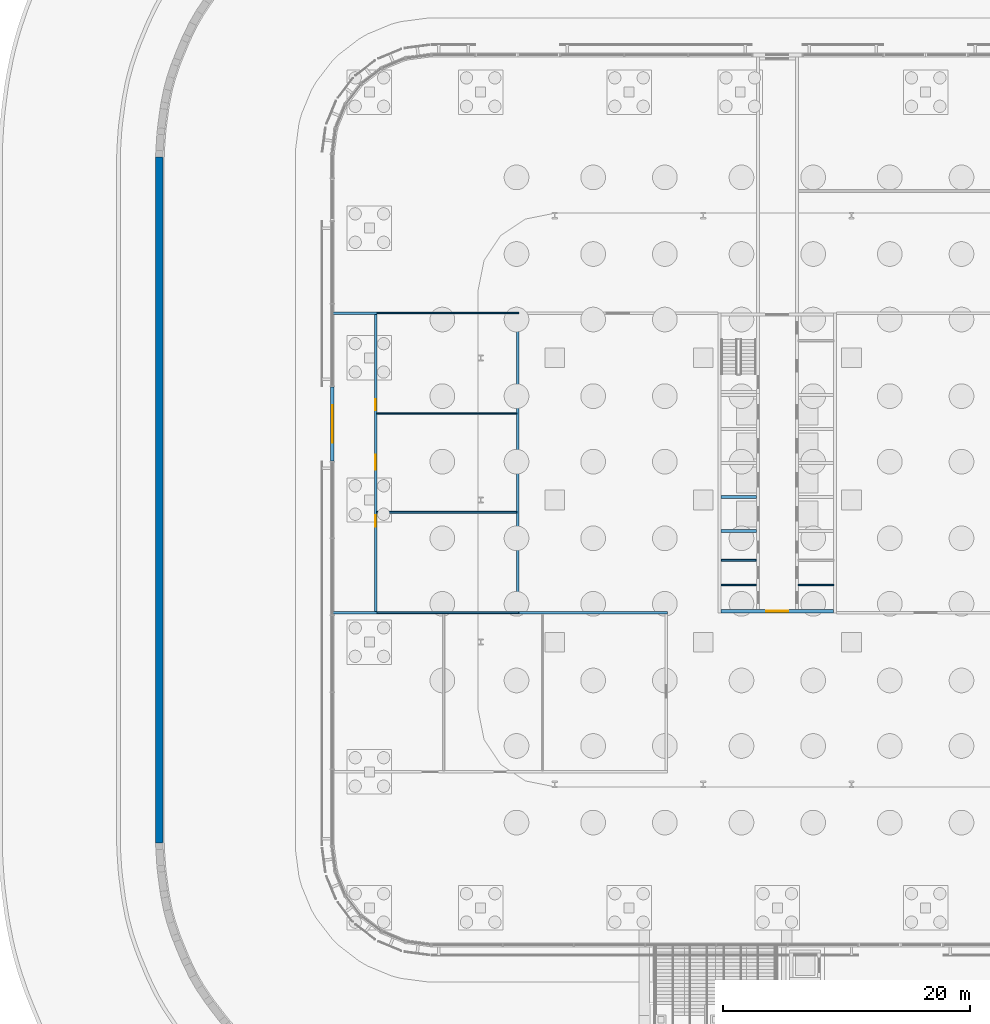
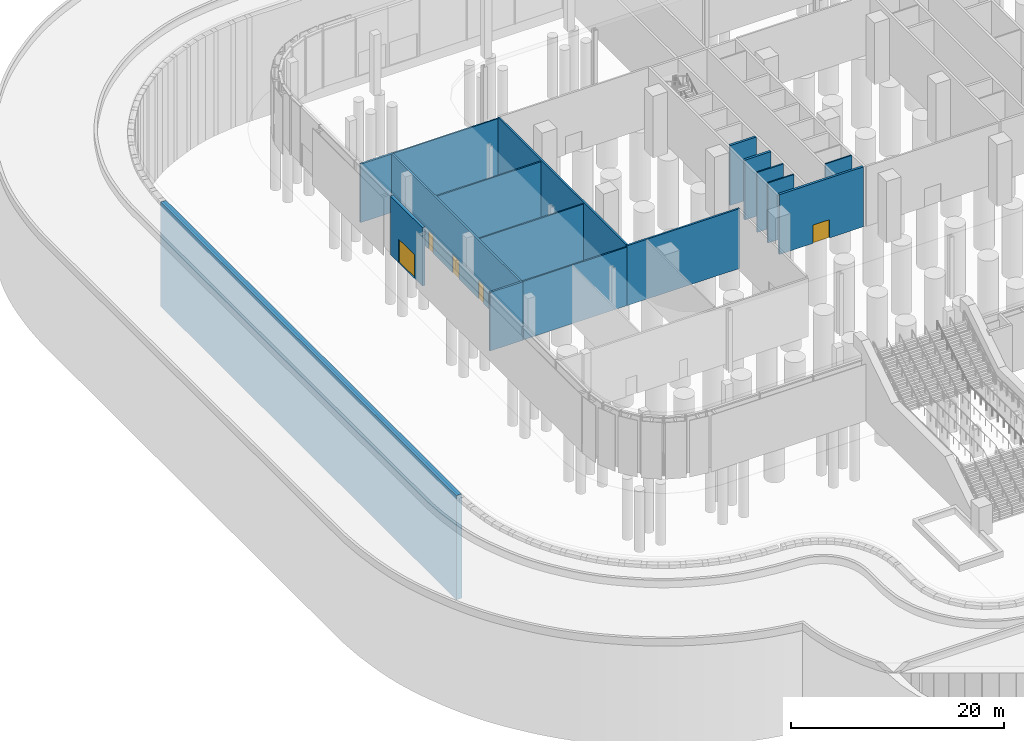
# One storey, part 24 of 48: 17 walls, 5 doors, 5 openings.
"""IFC4 building model written with IfcOpenShell, lengths in metres."""

from ifc_helpers import new_model, si_unit, direction, frame, frame_2d, origin, place, context, subcontext, project, spatial, rectangle, extrude, material, layer, layer_set, type_object, element, fill, save


model = new_model("IFC4")

# Units and contexts
model_context = context("Model", 3, precision=1e-05, world=origin(), true_north=direction((0.0, 1.0)))
body_context = subcontext(model_context, "Body", "Model", "MODEL_VIEW")
ifc_project = project(units=[si_unit("LENGTHUNIT", "METRE"), si_unit("AREAUNIT", "SQUARE_METRE"), si_unit("VOLUMEUNIT", "CUBIC_METRE"), si_unit("PLANEANGLEUNIT", "RADIAN"), si_unit("MASSUNIT", "GRAM", prefix="KILO")], contexts=[model_context])

# Site, building, storey
site_placement = place(None, origin())
site = spatial("IfcSite", under=ifc_project, at=site_placement, CompositionType="ELEMENT")
building_placement = place(site_placement, origin())
building = spatial("IfcBuilding", under=site, at=building_placement, Name="Mahtab Terrace Research Tower", CompositionType="ELEMENT")
storey_placement = place(building_placement, origin())
storey = spatial("IfcBuildingStorey", under=building, at=storey_placement, Name="G", CompositionType="ELEMENT", Elevation=0.0)

# Walls
ifc_material_1 = material(Name="Gypsum board partition")
ifc_layer_1 = layer(ifc_material_1, 0.14990234375)
ifc_layer_set_1 = layer_set([ifc_layer_1], Name="Core partition 150")
wall_type_1 = type_object("IfcWallType", Name="Core partition 150", PredefinedType="PARTITIONING", material=ifc_layer_set_1)
for number, where, z_axis, x_axis, name in (
    (1, (-28.550048828125, -6.875, 0.0), (0.0, 0.0, 1.0), (1.0, 0.0, 0.0), "Core wall A pWS-988"),
    (2, (-28.550048828125, -4.875, 0.0), (0.0, 0.0, 1.0), (1.0, 0.0, 0.0), "Core wall A pWS-788"),
    (3, (-22.300048828125, -6.875, 0.0), (0.0, 0.0, 1.0), (1.0, 0.0, 0.0), "Core wall A pES-988"),
):
    element("IfcWall", number, at=place(storey_placement, frame(where, z_axis=z_axis, x_axis=x_axis)), inside=storey, type_object=wall_type_1, Name=name, PredefinedType="PARTITIONING", context=body_context, shape_type="SweptSolid", body=[
        extrude(rectangle(XDim=2.85009765625, YDim=0.14990234375, at=frame_2d((1.425048828125, 0.0))), origin(), (0.0, 0.0, 1.0), 6.860107421875),
    ])

# Wall, opening, door
ifc_material_2 = material(Name="Concrete C70/85", Category="concrete")
ifc_layer_2 = layer(ifc_material_2, 0.25)
ifc_layer_set_2 = layer_set([ifc_layer_2], Name="Core wall 250")
wall_type_2 = type_object("IfcWallType", Name="Core wall 250", PredefinedType="SOLIDWALL", material=ifc_layer_set_2)
wall_1_placement = place(storey_placement, frame((-19.449951171875, -9.0, 0.0), z_axis=(0.0, 0.0, 1.0), x_axis=(-1.0, 0.0, 0.0)))
wall_1 = element("IfcWall", 4, at=wall_1_placement, inside=storey, type_object=wall_type_2, Name="Core wall A endS", PredefinedType="SOLIDWALL", context=body_context, shape_type="SweptSolid", body=[
    extrude(rectangle(XDim=9.10009765625, YDim=0.25, at=frame_2d((4.550048828125, 0.0))), origin(), (0.0, 0.0, 1.0), 6.860107421875),
])
opening_1_placement = place(wall_1_placement, frame((3.64990234375, 0.0, 0.0)))
opening_1 = element("IfcOpeningElement", 5, at=opening_1_placement, cuts=wall_1, Name="Opening A-S1", PredefinedType="OPENING", context=body_context, shape_type="SweptSolid", body=[
    extrude(rectangle(XDim=1.800048828125, YDim=2.10009765625, at=frame_2d((0.89990234375, 1.050048828125))), frame((0.0, 0.135009765625, 0.0), z_axis=(0.0, -1.0, 0.0), x_axis=(1.0, 0.0, 0.0)), (0.0, 0.0, 1.0), 0.27001953125),
])
ifc_material_3 = material(Name="Steel fire door", Category="steel")
door_type_1 = type_object("IfcDoorType", Name="Lobby double door 1800x2100 1 HR", OperationType="DOUBLE_DOOR_SINGLE_SWING", PredefinedType="DOOR", material=ifc_material_3)
door_1_placement = place(opening_1_placement, origin())
door_1 = element("IfcDoor", 6, at=door_1_placement, inside=storey, type_object=door_type_1, Name="Core entrance door A S", OperationType="DOUBLE_DOOR_SINGLE_SWING", OverallHeight=2.10009765625, OverallWidth=1.800048828125, PredefinedType="DOOR", context=body_context, shape_type="SweptSolid", body=[
    extrude(rectangle(XDim=1.800048828125, YDim=2.10009765625, at=frame_2d((0.89990234375, 1.050048828125))), frame((0.0, 0.02490234375, 0.0), z_axis=(0.0, -1.0, 0.0), x_axis=(1.0, 0.0, 0.0)), (0.0, 0.0, 1.0), 0.050048828125),
])
fill(opening_1, door_1)

# Walls
for number, where, z_axis, x_axis, name in (
    (7, (-28.550048828125, -2.5, 0.0), (0.0, 0.0, 1.0), (1.0, 0.0, 0.0), "Core wall A divW0"),
    (8, (-28.550048828125, 0.25, 0.0), (0.0, 0.0, 1.0), (1.0, 0.0, 0.0), "Core wall A divW1"),
):
    element("IfcWall", number, at=place(storey_placement, frame(where, z_axis=z_axis, x_axis=x_axis)), inside=storey, type_object=wall_type_2, Name=name, PredefinedType="SOLIDWALL", context=body_context, shape_type="SweptSolid", body=[
        extrude(rectangle(XDim=2.85009765625, YDim=0.25, at=frame_2d((1.425048828125, 0.0))), origin(), (0.0, 0.0, 1.0), 6.860107421875),
    ])

# Wall, opening, door
ifc_material_4 = material(Name="Precast concrete C40/50", Category="concrete")
ifc_layer_3 = layer(ifc_material_4, 0.300048828125)
ifc_layer_set_3 = layer_set([ifc_layer_3], Name="Ground facade infill wall 300")
wall_type_3 = type_object("IfcWallType", Name="Ground facade infill wall 300", PredefinedType="NOTDEFINED", material=ifc_layer_set_3)
wall_2_placement = place(storey_placement, frame((-60.0, 3.14990234375, 0.0), z_axis=(0.0, 0.0, 1.0), x_axis=(0.0, 1.0, 0.0)))
wall_2 = element("IfcWall", 9, at=wall_2_placement, inside=storey, type_object=wall_type_3, Name="Ground facade wall Service entrance", PredefinedType="NOTDEFINED", context=body_context, shape_type="SweptSolid", body=[
    extrude(rectangle(XDim=6.0, YDim=0.300048828125, at=frame_2d((3.0, 0.0))), origin(), (0.0, 0.0, 1.0), 6.699951171875),
])
opening_2_placement = place(wall_2_placement, frame((1.5, 0.0, 0.0)))
opening_2 = element("IfcOpeningElement", 10, at=opening_2_placement, cuts=wall_2, Name="Opening ED2", PredefinedType="OPENING", context=body_context, shape_type="SweptSolid", body=[
    extrude(rectangle(XDim=3.0, YDim=2.699951171875, at=frame_2d((1.5, 1.35009765625))), frame((0.0, 0.159912109375, 0.0), z_axis=(0.0, -1.0, 0.0), x_axis=(1.0, 0.0, 0.0)), (0.0, 0.0, 1.0), 0.320068359375),
])
ifc_material_5 = material(Name="Black anodised aluminium", Category="aluminium")
door_type_2 = type_object("IfcDoorType", Name="Entrance double door 3000x2700", OperationType="DOUBLE_DOOR_DOUBLE_SWING", PredefinedType="DOOR", material=ifc_material_5)
door_2_placement = place(opening_2_placement, origin())
door_2 = element("IfcDoor", 11, at=door_2_placement, inside=storey, type_object=door_type_2, Name="Service entrance", OperationType="SINGLE_SWING_LEFT", OverallHeight=2.699951171875, OverallWidth=3.0, PredefinedType="DOOR", context=body_context, shape_type="SweptSolid", body=[
    extrude(rectangle(XDim=3.0, YDim=2.699951171875, at=frame_2d((1.5, 1.35009765625))), frame((0.0, 0.02490234375, 0.0), z_axis=(0.0, -1.0, 0.0), x_axis=(1.0, 0.0, 0.0)), (0.0, 0.0, 1.0), 0.050048828125),
])
fill(opening_2, door_2)

# Walls
ifc_material_6 = material(Name="Concrete C32/40", Category="concrete")
ifc_layer_4 = layer(ifc_material_6, 0.60009765625)
ifc_layer_set_4 = layer_set([ifc_layer_4], Name="Site retaining wall 600")
wall_type_4 = type_object("IfcWallType", Name="Site retaining wall 600", PredefinedType="SOLIDWALL", material=ifc_layer_set_4)
wall_3_placement = place(storey_placement, frame((-74.0, -27.738037109375, -12.25), z_axis=(0.0, 0.0, 1.0), x_axis=(0.0, 1.0, 0.0)))
element("IfcWall", 12, at=wall_3_placement, inside=storey, type_object=wall_type_4, Name="Site retaining wall 242", PredefinedType="SOLIDWALL", context=body_context, shape_type="SweptSolid", body=[
    extrude(rectangle(XDim=55.47607421875, YDim=0.60009765625, at=frame_2d((27.738037109375, 0.0))), origin(), (0.0, 0.0, 1.0), 11.93994140625),
])
ifc_material_7 = material(Name="Gypsum board corridor wall on steel studs", Category="steel")
ifc_layer_5 = layer(ifc_material_7, 0.199951171875)
ifc_layer_set_5 = layer_set([ifc_layer_5], Name="WALL CORRIDOR 200")
wall_type_5 = type_object("IfcWallType", Name="WALL CORRIDOR 200", PredefinedType="PARTITIONING", material=ifc_layer_set_5)
wall_4_placement = place(storey_placement, frame((-59.97509765625, -9.125, 0.0), z_axis=(0.0, 0.0, 1.0), x_axis=(1.0, 0.0, 0.0)))
element("IfcWall", 13, at=wall_4_placement, inside=storey, type_object=wall_type_5, Name="G-W006", PredefinedType="PARTITIONING", context=body_context, shape_type="SweptSolid", body=[
    extrude(rectangle(XDim=3.5751953125, YDim=0.199951171875, at=frame_2d((1.78759765625, 0.0))), origin(), (0.0, 0.0, 1.0), 6.699951171875),
])
wall_5_placement = place(storey_placement, frame((-45.10009765625, -9.125, 0.0), z_axis=(0.0, 0.0, 1.0), x_axis=(1.0, 0.0, 0.0)))
element("IfcWall", 14, at=wall_5_placement, inside=storey, type_object=wall_type_5, Name="G-W008", PredefinedType="PARTITIONING", context=body_context, shape_type="SweptSolid", body=[
    extrude(rectangle(XDim=12.2001953125, YDim=0.199951171875, at=frame_2d((6.10009765625, 0.0))), origin(), (0.0, 0.0, 1.0), 6.860107421875),
])
wall_6_placement = place(storey_placement, frame((-59.97509765625, 15.125, 0.0), z_axis=(0.0, 0.0, 1.0), x_axis=(1.0, 0.0, 0.0)))
element("IfcWall", 15, at=wall_6_placement, inside=storey, type_object=wall_type_5, Name="G-W015", PredefinedType="PARTITIONING", context=body_context, shape_type="SweptSolid", body=[
    extrude(rectangle(XDim=3.5751953125, YDim=0.199951171875, at=frame_2d((1.78759765625, 0.0))), origin(), (0.0, 0.0, 1.0), 6.699951171875),
])

# Wall, openings, doors
wall_7_placement = place(storey_placement, frame((-56.5, -9.050048828125, 0.0), z_axis=(0.0, 0.0, 1.0), x_axis=(0.0, 1.0, 0.0)))
wall_7 = element("IfcWall", 16, at=wall_7_placement, inside=storey, type_object=wall_type_5, Name="G-W021", PredefinedType="PARTITIONING", context=body_context, shape_type="SweptSolid", body=[
    extrude(rectangle(XDim=24.10009765625, YDim=0.199951171875, at=frame_2d((12.050048828125, 0.0))), origin(), (0.0, 0.0, 1.0), 6.699951171875),
])
opening_3_placement = place(wall_7_placement, frame((6.89990234375, 0.0, 0.0)))
opening_3 = element("IfcOpeningElement", 17, at=opening_3_placement, cuts=wall_7, Name="Opening G-110", PredefinedType="OPENING", context=body_context, shape_type="SweptSolid", body=[
    extrude(rectangle(XDim=0.89990234375, YDim=2.10009765625, at=frame_2d((0.449951171875, 1.050048828125))), frame((0.0, 0.10986328125, 0.0), z_axis=(0.0, -1.0, 0.0), x_axis=(1.0, 0.0, 0.0)), (0.0, 0.0, 1.0), 0.219970703125),
])
opening_4_placement = place(wall_7_placement, frame((11.5, 0.0, 0.0)))
opening_4 = element("IfcOpeningElement", 18, at=opening_4_placement, cuts=wall_7, Name="Opening G-111", PredefinedType="OPENING", context=body_context, shape_type="SweptSolid", body=[
    extrude(rectangle(XDim=1.199951171875, YDim=2.10009765625, at=frame_2d((0.60009765625, 1.050048828125))), frame((0.0, 0.10986328125, 0.0), z_axis=(0.0, -1.0, 0.0), x_axis=(1.0, 0.0, 0.0)), (0.0, 0.0, 1.0), 0.219970703125),
])
opening_5_placement = place(wall_7_placement, frame((16.300048828125, 0.0, 0.0)))
opening_5 = element("IfcOpeningElement", 19, at=opening_5_placement, cuts=wall_7, Name="Opening G-116", PredefinedType="OPENING", context=body_context, shape_type="SweptSolid", body=[
    extrude(rectangle(XDim=0.89990234375, YDim=2.10009765625, at=frame_2d((0.449951171875, 1.050048828125))), frame((0.0, 0.10986328125, 0.0), z_axis=(0.0, -1.0, 0.0), x_axis=(1.0, 0.0, 0.0)), (0.0, 0.0, 1.0), 0.219970703125),
])
ifc_material_8 = material(Name="Timber door leaf in steel frame", Category="steel")
door_type_3 = type_object("IfcDoorType", Name="DOOR 0900X2100 FD30S", OperationType="SINGLE_SWING_LEFT", PredefinedType="DOOR", material=ifc_material_8)
door_3_placement = place(opening_3_placement, origin())
door_3 = element("IfcDoor", 20, at=door_3_placement, inside=storey, type_object=door_type_3, Name="Door G-110", OperationType="SINGLE_SWING_RIGHT", OverallHeight=2.10009765625, OverallWidth=0.89990234375, PredefinedType="DOOR", context=body_context, shape_type="SweptSolid", body=[
    extrude(rectangle(XDim=0.89990234375, YDim=2.10009765625, at=frame_2d((0.449951171875, 1.050048828125))), frame((0.0, 0.02490234375, 0.0), z_axis=(0.0, -1.0, 0.0), x_axis=(1.0, 0.0, 0.0)), (0.0, 0.0, 1.0), 0.050048828125),
])
fill(opening_3, door_3)
door_4_placement = place(opening_5_placement, origin())
door_4 = element("IfcDoor", 21, at=door_4_placement, inside=storey, type_object=door_type_3, Name="Door G-116", OperationType="SINGLE_SWING_LEFT", OverallHeight=2.10009765625, OverallWidth=0.89990234375, PredefinedType="DOOR", context=body_context, shape_type="SweptSolid", body=[
    extrude(rectangle(XDim=0.89990234375, YDim=2.10009765625, at=frame_2d((0.449951171875, 1.050048828125))), frame((0.0, 0.02490234375, 0.0), z_axis=(0.0, -1.0, 0.0), x_axis=(1.0, 0.0, 0.0)), (0.0, 0.0, 1.0), 0.050048828125),
])
fill(opening_5, door_4)
door_type_4 = type_object("IfcDoorType", Name="DOOR 1200X2100 FD30S", OperationType="SINGLE_SWING_LEFT", PredefinedType="DOOR", material=ifc_material_8)
door_5_placement = place(opening_4_placement, origin())
door_5 = element("IfcDoor", 22, at=door_5_placement, inside=storey, type_object=door_type_4, Name="Door G-111", OperationType="SINGLE_SWING_LEFT", OverallHeight=2.10009765625, OverallWidth=1.199951171875, PredefinedType="DOOR", context=body_context, shape_type="SweptSolid", body=[
    extrude(rectangle(XDim=1.199951171875, YDim=2.10009765625, at=frame_2d((0.60009765625, 1.050048828125))), frame((0.0, 0.02490234375, 0.0), z_axis=(0.0, -1.0, 0.0), x_axis=(1.0, 0.0, 0.0)), (0.0, 0.0, 1.0), 0.050048828125),
])
fill(opening_4, door_5)

# Walls
wall_8_placement = place(storey_placement, frame((-45.0, -9.050048828125, 0.0), z_axis=(0.0, 0.0, 1.0), x_axis=(0.0, 1.0, 0.0)))
element("IfcWall", 23, at=wall_8_placement, inside=storey, type_object=wall_type_5, Name="G-W023", PredefinedType="PARTITIONING", context=body_context, shape_type="SweptSolid", body=[
    extrude(rectangle(XDim=24.10009765625, YDim=0.199951171875, at=frame_2d((12.050048828125, 0.0))), origin(), (0.0, 0.0, 1.0), 6.860107421875),
])
ifc_material_9 = material(Name="Gypsum board partition on steel studs", Category="steel")
ifc_layer_6 = layer(ifc_material_9, 0.14990234375)
ifc_layer_set_6 = layer_set([ifc_layer_6], Name="WALL PARTITION 150")
wall_type_6 = type_object("IfcWallType", Name="WALL PARTITION 150", PredefinedType="PARTITIONING", material=ifc_layer_set_6)
wall_9_placement = place(storey_placement, frame((-56.60009765625, -9.125, 0.0), z_axis=(0.0, 0.0, 1.0), x_axis=(1.0, 0.0, 0.0)))
element("IfcWall", 24, at=wall_9_placement, inside=storey, type_object=wall_type_6, Name="G-W007", PredefinedType="PARTITIONING", context=body_context, shape_type="SweptSolid", body=[
    extrude(rectangle(XDim=11.7001953125, YDim=0.14990234375, at=frame_2d((5.85009765625, 0.0))), origin(), (0.0, 0.0, 1.0), 6.699951171875),
])
for number, where, z_axis, x_axis, name in (
    (25, (-56.39990234375, -1.0, 0.0), (0.0, 0.0, 1.0), (1.0, 0.0, 0.0), "G-W011"),
    (26, (-56.39990234375, 7.0, 0.0), (0.0, 0.0, 1.0), (1.0, 0.0, 0.0), "G-W012"),
):
    element("IfcWall", number, at=place(storey_placement, frame(where, z_axis=z_axis, x_axis=x_axis)), inside=storey, type_object=wall_type_6, Name=name, PredefinedType="PARTITIONING", context=body_context, shape_type="SweptSolid", body=[
        extrude(rectangle(XDim=11.2998046875, YDim=0.14990234375, at=frame_2d((5.64990234375, 0.0))), origin(), (0.0, 0.0, 1.0), 6.699951171875),
    ])
wall_10_placement = place(storey_placement, frame((-56.60009765625, 15.125, 0.0), z_axis=(0.0, 0.0, 1.0), x_axis=(1.0, 0.0, 0.0)))
element("IfcWall", 27, at=wall_10_placement, inside=storey, type_object=wall_type_6, Name="G-W016", PredefinedType="PARTITIONING", context=body_context, shape_type="SweptSolid", body=[
    extrude(rectangle(XDim=11.7001953125, YDim=0.14990234375, at=frame_2d((5.85009765625, 0.0))), origin(), (0.0, 0.0, 1.0), 6.699951171875),
])

save(model, "model.ifc")
